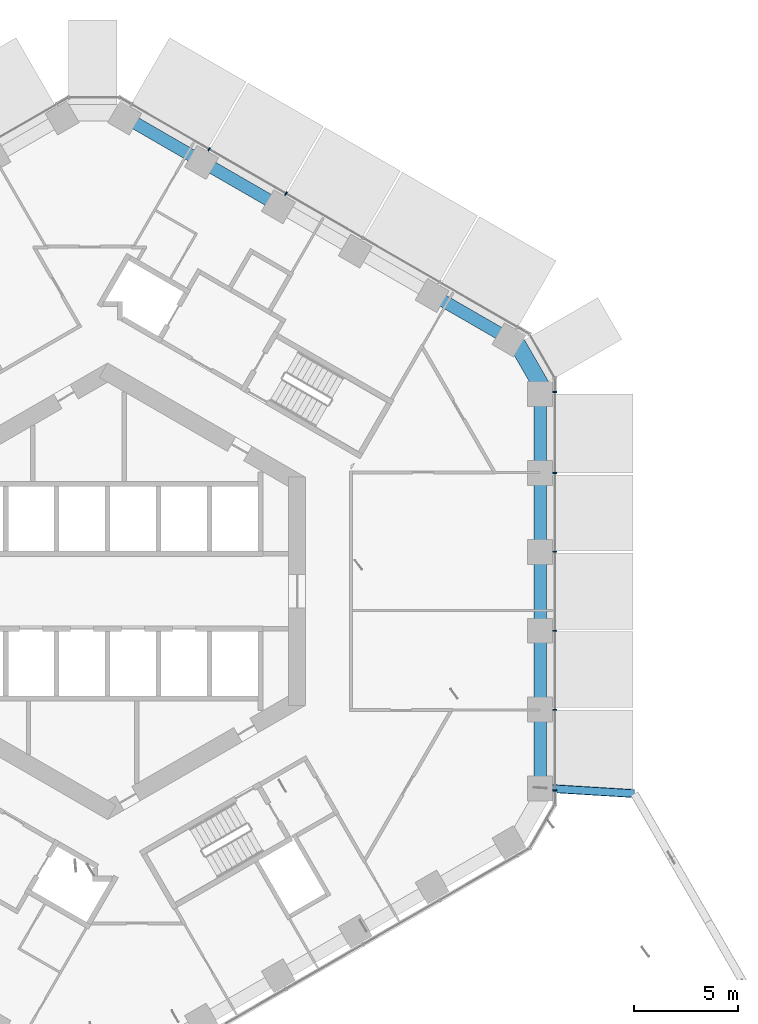
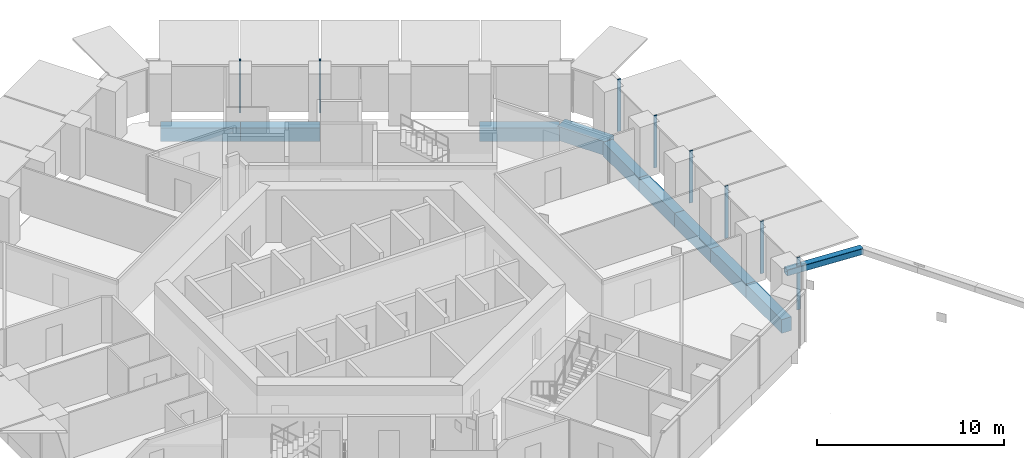
# One storey, part 5 of 22: 9 beams, 9 members, 2 elements without a shape of their own.
"""IFC4 building model written with IfcOpenShell, lengths in metres."""

import ifcopenshell
import ifcopenshell.guid

model = None  # the IFC model being written
_history = None  # IfcOwnerHistory: only IFC2X3 demands one
_inside = {}  # id of a spatial element -> (the spatial element, [elements in it])
_under = {}  # id of a project, library or spatial element -> (it, [spatial elements below it])
_declared = {}  # id of a project -> (the project, [libraries it declares])
_typed = {}  # id of a type object -> (the type object, [elements of that type])
_made_of = {}  # id of a material, layer set ... -> (it, [elements and type objects made of it])


def new_model(schema):
    """Start an empty IFC model of exactly this schema.

    Asked for "IFC4X3", IfcOpenShell would pick the latest addendum, in which some entities
    have other attributes; the version numbers below select the first issue.
    IFC2X3 requires an IfcOwnerHistory on every rooted entity: one is made here for all.
    """
    global model, _history
    if schema == "IFC4X3":
        model = ifcopenshell.file(schema_version=(4, 3, 0, 0))
    else:
        model = ifcopenshell.file(schema=schema)
    _inside.clear()
    _under.clear()
    _declared.clear()
    _typed.clear()
    _made_of.clear()
    _history = None
    if model.schema == "IFC2X3":
        org = make("IfcOrganization", Name="unknown")
        user = make(
            "IfcPersonAndOrganization",
            ThePerson=make("IfcPerson", FamilyName="unknown"),
            TheOrganization=org,
        )
        app = make(
            "IfcApplication",
            ApplicationDeveloper=org,
            Version="unknown",
            ApplicationFullName="unknown",
            ApplicationIdentifier="unknown",
        )
        _history = make(
            "IfcOwnerHistory",
            OwningUser=user,
            OwningApplication=app,
            ChangeAction="ADDED",
            CreationDate=0,
        )
    return model


def make(cls, **values):
    """One entity of the class cls with the attributes given. An attribute that is None is left unset."""
    return model.create_entity(
        cls, **{name: value for name, value in values.items() if value is not None}
    )


def rooted(cls, **values):
    """An entity with a GlobalId (a new one), such as an element, a storey or a relation."""
    return make(cls, GlobalId=ifcopenshell.guid.new(), OwnerHistory=_history, **values)


def si_unit(unit_type, name, prefix=None):
    """IfcSIUnit, for example si_unit("LENGTHUNIT", "METRE", prefix="MILLI")."""
    return make("IfcSIUnit", UnitType=unit_type, Prefix=prefix, Name=name)


def assignment(units):
    """IfcUnitAssignment: the units of a project."""
    return None if units is None else make("IfcUnitAssignment", Units=units)


def point(xyz):
    """IfcCartesianPoint."""
    return None if xyz is None else make("IfcCartesianPoint", Coordinates=xyz)


def direction(xyz):
    """IfcDirection."""
    return None if xyz is None else make("IfcDirection", DirectionRatios=xyz)


def frame(location, z_axis=None, x_axis=None):
    """IfcAxis2Placement3D, a coordinate frame: its origin and axes. An axis left out is left unset."""
    return make(
        "IfcAxis2Placement3D",
        Location=point(location),
        Axis=direction(z_axis),
        RefDirection=direction(x_axis),
    )


def frame_2d(location, x_axis=None):
    """IfcAxis2Placement2D, a coordinate frame in the plane: its origin and x axis."""
    return make(
        "IfcAxis2Placement2D", Location=point(location), RefDirection=direction(x_axis)
    )


def origin():
    """The frame at (0, 0, 0) with its axes left unset."""
    return frame((0.0, 0.0, 0.0))


def origin_2d():
    """The frame at (0, 0) in the plane with its x axis left unset."""
    return frame_2d((0.0, 0.0))


def place(relative_to, where):
    """IfcLocalPlacement: puts the frame where relative to a parent placement (None: the world)."""
    return make(
        "IfcLocalPlacement", PlacementRelTo=relative_to, RelativePlacement=where
    )


def context(
    kind, dimensions, precision=None, world=None, true_north=None, identifier=None
):
    """IfcGeometricRepresentationContext, for example the 3D "Model" context."""
    return make(
        "IfcGeometricRepresentationContext",
        ContextIdentifier=identifier,
        ContextType=kind,
        CoordinateSpaceDimension=dimensions,
        Precision=precision,
        WorldCoordinateSystem=world,
        TrueNorth=true_north,
    )


def subcontext(parent, identifier, kind, view, scale=None):
    """IfcGeometricRepresentationSubContext, for example "Body" below "Model"."""
    return make(
        "IfcGeometricRepresentationSubContext",
        ContextIdentifier=identifier,
        ContextType=kind,
        ParentContext=parent,
        TargetScale=scale,
        TargetView=view,
    )


def project(units=None, contexts=None):
    """IfcProject with its units and contexts."""
    return rooted(
        "IfcProject",
        Name="project",
        RepresentationContexts=contexts,
        UnitsInContext=assignment(units),
    )


def spatial(cls, under=None, at=None, **own):
    """A site, building, storey or space (cls), placed at a placement, below another one or the project."""
    s = rooted(cls, ObjectPlacement=at, **own)
    if under is not None:
        _under.setdefault(under.id(), (under, []))[1].append(s)
    return s


def profile(cls, at=None, kind="AREA", **sizes):
    """A parametric profile (cls). Its sizes go by their IFC names, for example OverallWidth=200.0."""
    return make(cls, ProfileType=kind, Position=at, **sizes)


def rectangle(**sizes):
    """IfcRectangleProfileDef."""
    return profile("IfcRectangleProfileDef", **sizes)


def hollow_rectangle(**sizes):
    """IfcRectangleHollowProfileDef."""
    return profile("IfcRectangleHollowProfileDef", **sizes)


def extrude(swept, where, along, depth):
    """IfcExtrudedAreaSolid: the profile swept, set in the frame where, extruded along a direction by depth."""
    return make(
        "IfcExtrudedAreaSolid",
        SweptArea=swept,
        Position=where,
        ExtrudedDirection=direction(along),
        Depth=depth,
    )


def shape(context_of_items, identifier, shape_type, items):
    """IfcShapeRepresentation: the items that make up one representation, for example the "Body"."""
    return make(
        "IfcShapeRepresentation",
        ContextOfItems=context_of_items,
        RepresentationIdentifier=identifier,
        RepresentationType=shape_type,
        Items=items,
    )


def material(Name=None, Category=None):
    """IfcMaterial."""
    return make("IfcMaterial", Name=Name, Category=Category)


def layer(
    of_material, thickness, ventilated=None, Name=None, Category=None, Priority=None
):
    """IfcMaterialLayer: one layer of a wall or slab, of a material (None: an air gap)."""
    return make(
        "IfcMaterialLayer",
        Material=of_material,
        LayerThickness=thickness,
        IsVentilated=ventilated,
        Name=Name,
        Category=Category,
        Priority=Priority,
    )


def layer_set(layers, Name=None):
    """IfcMaterialLayerSet."""
    return make("IfcMaterialLayerSet", MaterialLayers=layers, LayerSetName=Name)


def material_profile(
    of_material, cross_section, Name=None, Category=None, Priority=None
):
    """IfcMaterialProfile: a cross section and its material."""
    return make(
        "IfcMaterialProfile",
        Name=Name,
        Material=of_material,
        Profile=cross_section,
        Priority=Priority,
        Category=Category,
    )


def profile_set(profiles, Name=None, composite=None):
    """IfcMaterialProfileSet."""
    return make(
        "IfcMaterialProfileSet",
        Name=Name,
        MaterialProfiles=profiles,
        CompositeProfile=composite,
    )


def made_of(thing, what):
    """Note that an element or type object is made of a material, layer set ...; save() writes the relation."""
    if what is not None:
        _made_of.setdefault(what.id(), (what, []))[1].append(thing)
    return thing


def type_object(cls, material=None, **own):
    """A type object (cls), such as IfcWallType, which elements share."""
    return made_of(rooted(cls, **own), material)


def element(
    cls,
    number,
    at=None,
    inside=None,
    cuts=None,
    type_object=None,
    material=None,
    context=None,
    identifier="Body",
    shape_type=None,
    held_by="IfcProductDefinitionShape",
    body=None,
    shapes=None,
    **own,
):
    """One element of the class cls, such as IfcWall. Its Tag is "e" and its number.

    at: its placement. inside: the storey or other place that contains it. cuts: it is an
    opening in that element (IfcRelVoidsElement). A single representation is given by context,
    identifier, shape_type and body (its items); several are given by shapes. held_by: the class
    of the entity that holds the representations. save() writes the other relations.
    """
    e = rooted(cls, Tag="e%d" % number, ObjectPlacement=at, **own)
    if body is not None:
        shapes = [shape(context, identifier, shape_type, body)]
    if shapes is not None:
        e.Representation = make(held_by, Representations=shapes)
    if inside is not None:
        _inside.setdefault(inside.id(), (inside, []))[1].append(e)
    if cuts is not None:
        rooted(
            "IfcRelVoidsElement", RelatingBuildingElement=cuts, RelatedOpeningElement=e
        )
    if type_object is not None:
        _typed.setdefault(type_object.id(), (type_object, []))[1].append(e)
    return made_of(e, material)


def aggregate(whole, parts):
    """IfcRelAggregates: a whole, such as a stair, and the parts it consists of."""
    return rooted("IfcRelAggregates", RelatingObject=whole, RelatedObjects=parts)


def save(model, path):
    """Write the relations noted so far, then the file.

    IfcRelAggregates (storeys below a building ...), IfcRelContainedInSpatialStructure (elements
    in a storey), IfcRelDefinesByType, IfcRelAssociatesMaterial and IfcRelDeclares: one each for
    every whole, place, type object, material and project.
    """
    for whole, parts in _under.values():
        aggregate(whole, parts)
    for where, things in _inside.values():
        rooted(
            "IfcRelContainedInSpatialStructure",
            RelatedElements=things,
            RelatingStructure=where,
        )
    for kind, things in _typed.values():
        rooted("IfcRelDefinesByType", RelatedObjects=things, RelatingType=kind)
    for what, things in _made_of.values():
        rooted("IfcRelAssociatesMaterial", RelatedObjects=things, RelatingMaterial=what)
    for by, libraries in _declared.values():
        rooted("IfcRelDeclares", RelatingContext=by, RelatedDefinitions=libraries)
    model.write(path)


model = new_model("IFC4")

# Units and contexts
model_context = context("Model", 3, precision=1e-05, world=origin(), true_north=direction((0.0, 1.0)))
body_context = subcontext(model_context, "Body", "Model", "MODEL_VIEW")
ifc_project = project(units=[si_unit("LENGTHUNIT", "METRE"), si_unit("AREAUNIT", "SQUARE_METRE"), si_unit("VOLUMEUNIT", "CUBIC_METRE"), si_unit("PLANEANGLEUNIT", "RADIAN"), si_unit("MASSUNIT", "GRAM", prefix="KILO")], contexts=[model_context])

# Site, building, storey
site_placement = place(None, origin())
site = spatial("IfcSite", under=ifc_project, at=site_placement, CompositionType="ELEMENT")
building_placement = place(site_placement, origin())
building = spatial("IfcBuilding", under=site, at=building_placement, Name="Ayvan Gate Tower", CompositionType="ELEMENT")
storey_placement = place(building_placement, frame((0.0, 0.0, 62.89990234375)))
storey = spatial("IfcBuildingStorey", under=building, at=storey_placement, Name="L16", CompositionType="ELEMENT", Elevation=62.89990234375)

# Beam
ifc_material_1 = material(Name="Concrete C40/50", Category="concrete")
ifc_material_profile_1 = material_profile(ifc_material_1, rectangle(XDim=0.800048828125, YDim=0.89990234375, at=origin_2d()), Name="RC 800x900")
ifc_profile_set_1 = profile_set([ifc_material_profile_1], Name="Concrete C40/50")
beam_type_1 = type_object("IfcBeamType", Name="Corner spandrel beam RC 800x900 C40/50", PredefinedType="BEAM", material=ifc_profile_set_1)
beam_1_placement = place(storey_placement, frame((20.97509765625, 9.640380859375, -0.7998046875), z_axis=(-0.50002537861, 0.866010750942, 0.0), x_axis=(-0.866010750942, -0.50002537861, 0.0)))
element("IfcBeam", 1, at=beam_1_placement, inside=storey, type_object=beam_type_1, Name="SB-L16-6", PredefinedType="BEAM", context=body_context, shape_type="SweptSolid", body=[
    extrude(rectangle(XDim=0.800048828125, YDim=0.89990234375, at=origin_2d()), origin(), (0.0, 0.0, 1.0), 2.999755859375),
])

# Member
ifc_material_2 = material(Name="Steel S460NH", Category="steel")
ifc_material_profile_2 = material_profile(ifc_material_2, hollow_rectangle(XDim=0.39990234375, YDim=0.39990234375, WallThickness=0.02001953125, InnerFilletRadius=0.02001953125, OuterFilletRadius=0.030029296875, at=origin_2d()), Name="RHS 400x400x20")
ifc_profile_set_2 = profile_set([ifc_material_profile_2], Name="Steel S460NH")
member_type_1 = type_object("IfcMemberType", Name="Sky bar truss brace B1 RHS 400x400x20", PredefinedType="BRACE", material=ifc_profile_set_2)
member_1_placement = place(storey_placement, frame((20.78466796875, -9.445556640625, 2.650146484375), z_axis=(0.99814068147, -0.060952276375, 0.0), x_axis=(0.060952276375, 0.99814068147, 0.0)))
element("IfcMember", 2, at=member_1_placement, inside=storey, type_object=member_type_1, Name="SBX1-A-BC-1", PredefinedType="CHORD", context=body_context, shape_type="SweptSolid", body=[
    extrude(hollow_rectangle(XDim=0.39990234375, YDim=0.39990234375, WallThickness=0.02001953125, InnerFilletRadius=0.02001953125, OuterFilletRadius=0.030029296875, at=origin_2d()), origin(), (0.0, 0.0, 1.0), 4.5302734375),
])

# Beams
ifc_material_profile_3 = material_profile(ifc_material_1, rectangle(XDim=0.60009765625, YDim=0.89990234375, at=origin_2d()), Name="RC 600x900")
ifc_profile_set_3 = profile_set([ifc_material_profile_3], Name="Concrete C40/50")
beam_type_2 = type_object("IfcBeamType", Name="Spandrel beam RC 600x900 C40/50", PredefinedType="BEAM", material=ifc_profile_set_3)
beam_2_placement = place(storey_placement, frame((20.78466796875, -9.5302734375, -0.7998046875), z_axis=(0.0, 1.0, 0.0), x_axis=(-1.0, 0.0, 0.0)))
element("IfcBeam", 3, at=beam_2_placement, inside=storey, type_object=beam_type_2, Name="SB-L16-1", PredefinedType="BEAM", context=body_context, shape_type="SweptSolid", body=[
    extrude(rectangle(XDim=0.60009765625, YDim=0.89990234375, at=origin_2d()), origin(), (0.0, 0.0, 1.0), 3.81201171875),
])
beam_3_placement = place(storey_placement, frame((20.78466796875, -5.71826171875, -0.7998046875), z_axis=(0.0, 1.0, 0.0), x_axis=(-1.0, 0.0, 0.0)))
element("IfcBeam", 4, at=beam_3_placement, inside=storey, type_object=beam_type_2, Name="SB-L16-2", PredefinedType="BEAM", context=body_context, shape_type="SweptSolid", body=[
    extrude(rectangle(XDim=0.60009765625, YDim=0.89990234375, at=origin_2d()), origin(), (0.0, 0.0, 1.0), 3.812255859375),
])
beam_4_placement = place(storey_placement, frame((20.78466796875, -1.906005859375, -0.7998046875), z_axis=(0.0, 1.0, 0.0), x_axis=(-1.0, 0.0, 0.0)))
element("IfcBeam", 5, at=beam_4_placement, inside=storey, type_object=beam_type_2, Name="SB-L16-3", PredefinedType="BEAM", context=body_context, shape_type="SweptSolid", body=[
    extrude(rectangle(XDim=0.60009765625, YDim=0.89990234375, at=origin_2d()), origin(), (0.0, 0.0, 1.0), 3.81201171875),
])
beam_5_placement = place(storey_placement, frame((20.78466796875, 1.906005859375, -0.7998046875), z_axis=(0.0, 1.0, 0.0), x_axis=(-1.0, 0.0, 0.0)))
element("IfcBeam", 6, at=beam_5_placement, inside=storey, type_object=beam_type_2, Name="SB-L16-4", PredefinedType="BEAM", context=body_context, shape_type="SweptSolid", body=[
    extrude(rectangle(XDim=0.60009765625, YDim=0.89990234375, at=origin_2d()), origin(), (0.0, 0.0, 1.0), 3.812255859375),
])
beam_6_placement = place(storey_placement, frame((20.78466796875, 5.71826171875, -0.7998046875), z_axis=(0.0, 1.0, 0.0), x_axis=(-1.0, 0.0, 0.0)))
element("IfcBeam", 7, at=beam_6_placement, inside=storey, type_object=beam_type_2, Name="SB-L16-5", PredefinedType="BEAM", context=body_context, shape_type="SweptSolid", body=[
    extrude(rectangle(XDim=0.60009765625, YDim=0.89990234375, at=origin_2d()), origin(), (0.0, 0.0, 1.0), 3.81201171875),
])
for number, where, z_axis, x_axis, name in (
    (8, (19.28466796875, 12.12841796875, -0.7998046875), (-0.866048947811, 0.499959218332, 0.0), (-0.499959218332, -0.866048947811, 0.0), "SB-L16-7"),
    (9, (8.23046875, 18.510498046875, -0.7998046875), (-0.866034603873, 0.49998406464, 0.0), (-0.49998406464, -0.866034603873, 0.0), "SB-L16-10"),
):
    element("IfcBeam", number, at=place(storey_placement, frame(where, z_axis=z_axis, x_axis=x_axis)), inside=storey, type_object=beam_type_2, Name=name, PredefinedType="BEAM", context=body_context, shape_type="SweptSolid", body=[
        extrude(rectangle(XDim=0.60009765625, YDim=0.89990234375, at=origin_2d()), origin(), (0.0, 0.0, 1.0), 4.254638671875),
    ])
beam_7_placement = place(storey_placement, frame((4.5458984375, 20.6376953125, -0.7998046875), z_axis=(-0.866024102175, 0.500002254446, 0.0), x_axis=(-0.500002254446, -0.866024102175, 0.0)))
element("IfcBeam", 10, at=beam_7_placement, inside=storey, type_object=beam_type_2, Name="SB-L16-11", PredefinedType="BEAM", context=body_context, shape_type="SweptSolid", body=[
    extrude(rectangle(XDim=0.60009765625, YDim=0.89990234375, at=origin_2d()), origin(), (0.0, 0.0, 1.0), 4.2548828125),
])

# Curtain wall, members
ifc_material_3 = material(Name="Bronze anodised aluminium", Category="aluminium")
ifc_layer = layer(ifc_material_3, 0.199951171875)
ifc_layer_set = layer_set([ifc_layer], Name="Bronze anodised aluminium")
curtain_wall_type = type_object("IfcCurtainWallType", Name="Stick curtain wall CW-1", PredefinedType="NOTDEFINED", material=ifc_layer_set)
curtain_wall_1_placement = place(storey_placement, origin())
curtain_wall_1 = element("IfcCurtainWall", 11, at=curtain_wall_1_placement, inside=storey, type_object=curtain_wall_type, Name="Stick curtain wall CW-1 L16", PredefinedType="NOTDEFINED")
ifc_material_profile_4 = material_profile(ifc_material_3, rectangle(XDim=0.199951171875, YDim=0.06005859375, at=origin_2d()), Name="Stick curtain wall CW-1 mullion 200 x 60")
ifc_profile_set_4 = profile_set([ifc_material_profile_4], Name="Bronze anodised aluminium")
member_type_2 = type_object("IfcMemberType", Name="Stick curtain wall CW-1 mullion 200 x 60", PredefinedType="MULLION", material=ifc_profile_set_4)
member_2_placement = place(storey_placement, frame((21.484619140625, -9.576416015625, 0.0), z_axis=(0.0, 0.0, 1.0), x_axis=(1.0, 0.0, 0.0)))
member_2 = element("IfcMember", 12, at=member_2_placement, type_object=member_type_2, Name="CW-1 mullion 1", PredefinedType="MULLION", context=body_context, shape_type="SweptSolid", body=[
    extrude(rectangle(XDim=0.199951171875, YDim=0.06005859375, at=origin_2d()), origin(), (0.0, 0.0, 1.0), 3.400146484375),
])
member_3_placement = place(storey_placement, frame((21.484619140625, -5.688232421875, 0.0), z_axis=(0.0, 0.0, 1.0), x_axis=(1.0, 0.0, 0.0)))
member_3 = element("IfcMember", 13, at=member_3_placement, type_object=member_type_2, Name="CW-1 mullion 2", PredefinedType="MULLION", context=body_context, shape_type="SweptSolid", body=[
    extrude(rectangle(XDim=0.199951171875, YDim=0.06005859375, at=origin_2d()), origin(), (0.0, 0.0, 1.0), 3.400146484375),
])
member_4_placement = place(storey_placement, frame((21.484619140625, -1.896240234375, 0.0), z_axis=(0.0, 0.0, 1.0), x_axis=(1.0, 0.0, 0.0)))
member_4 = element("IfcMember", 14, at=member_4_placement, type_object=member_type_2, Name="CW-1 mullion 3", PredefinedType="MULLION", context=body_context, shape_type="SweptSolid", body=[
    extrude(rectangle(XDim=0.199951171875, YDim=0.06005859375, at=origin_2d()), origin(), (0.0, 0.0, 1.0), 3.400146484375),
])
member_5_placement = place(storey_placement, frame((21.484619140625, 1.895751953125, 0.0), z_axis=(0.0, 0.0, 1.0), x_axis=(1.0, 0.0, 0.0)))
member_5 = element("IfcMember", 15, at=member_5_placement, type_object=member_type_2, Name="CW-1 mullion 4", PredefinedType="MULLION", context=body_context, shape_type="SweptSolid", body=[
    extrude(rectangle(XDim=0.199951171875, YDim=0.06005859375, at=origin_2d()), origin(), (0.0, 0.0, 1.0), 3.400146484375),
])
member_6_placement = place(storey_placement, frame((21.484619140625, 5.687744140625, 0.0), z_axis=(0.0, 0.0, 1.0), x_axis=(1.0, 0.0, 0.0)))
member_6 = element("IfcMember", 16, at=member_6_placement, type_object=member_type_2, Name="CW-1 mullion 5", PredefinedType="MULLION", context=body_context, shape_type="SweptSolid", body=[
    extrude(rectangle(XDim=0.199951171875, YDim=0.06005859375, at=origin_2d()), origin(), (0.0, 0.0, 1.0), 3.400146484375),
])
member_7_placement = place(storey_placement, frame((21.484619140625, 9.576416015625, 0.0), z_axis=(0.0, 0.0, 1.0), x_axis=(1.0, 0.0, 0.0)))
member_7 = element("IfcMember", 17, at=member_7_placement, type_object=member_type_2, Name="CW-1 mullion 6", PredefinedType="MULLION", context=body_context, shape_type="SweptSolid", body=[
    extrude(rectangle(XDim=0.199951171875, YDim=0.06005859375, at=origin_2d()), origin(), (0.0, 0.0, 1.0), 3.400146484375),
])
aggregate(curtain_wall_1, [member_2, member_3, member_4, member_5, member_6, member_7])

curtain_wall_2_placement = place(storey_placement, origin())
curtain_wall_2 = element("IfcCurtainWall", 18, at=curtain_wall_2_placement, inside=storey, type_object=curtain_wall_type, Name="Stick curtain wall CW-1 L16", PredefinedType="NOTDEFINED")
member_8_placement = place(storey_placement, frame((8.569580078125, 19.10693359375, 0.0), z_axis=(0.0, 0.0, 1.0), x_axis=(0.5, 0.866025403784, 0.0)))
member_8 = element("IfcMember", 19, at=member_8_placement, type_object=member_type_2, Name="CW-1 mullion 4", PredefinedType="MULLION", context=body_context, shape_type="SweptSolid", body=[
    extrude(rectangle(XDim=0.199951171875, YDim=0.06005859375, at=origin_2d()), origin(), (0.0, 0.0, 1.0), 3.400146484375),
])
member_9_placement = place(storey_placement, frame((4.8759765625, 21.2392578125, 0.0), z_axis=(0.0, 0.0, 1.0), x_axis=(0.5, 0.866025403784, 0.0)))
member_9 = element("IfcMember", 20, at=member_9_placement, type_object=member_type_2, Name="CW-1 mullion 5", PredefinedType="MULLION", context=body_context, shape_type="SweptSolid", body=[
    extrude(rectangle(XDim=0.199951171875, YDim=0.06005859375, at=origin_2d()), origin(), (0.0, 0.0, 1.0), 3.400146484375),
])
aggregate(curtain_wall_2, [member_8, member_9])

save(model, "model.ifc")
